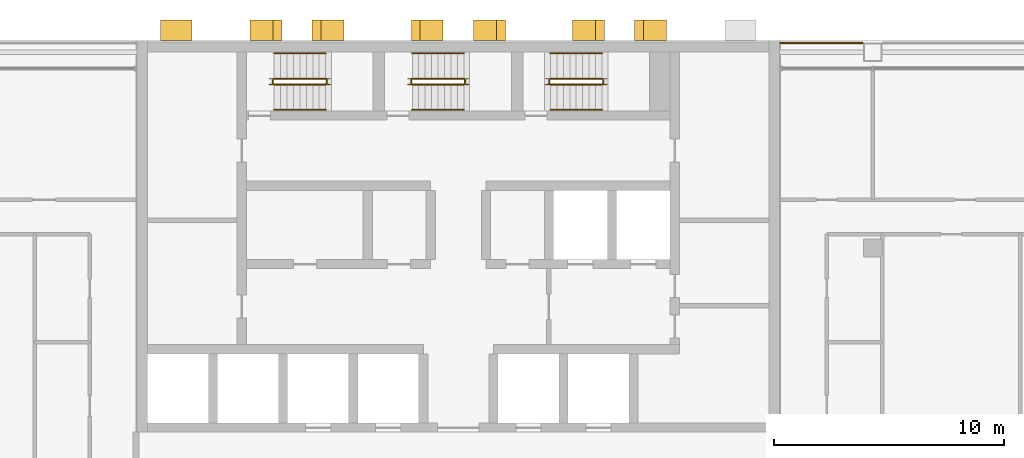
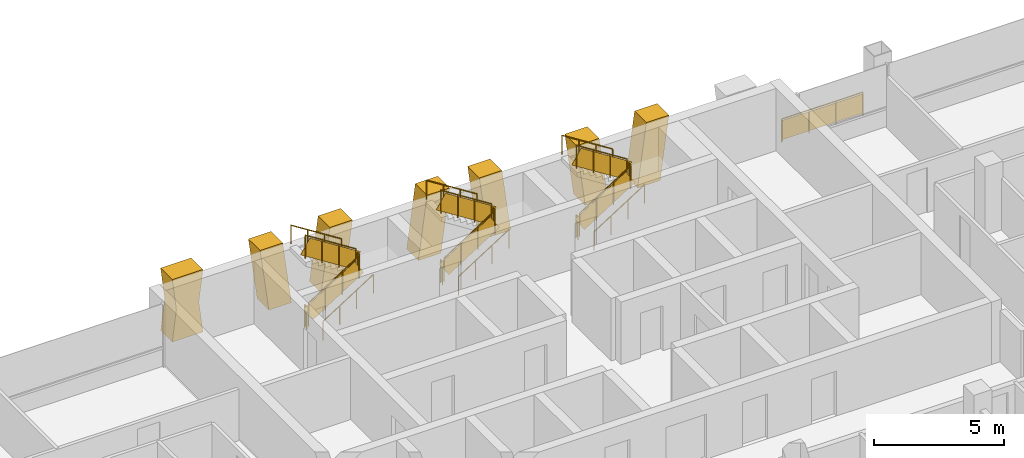
# One storey, part 15 of 16: 19 railings, 7 shading devices.
"""IFC4 building model written with IfcOpenShell, lengths in metres."""

from ifc_helpers import new_model, si_unit, direction, frame, origin, origin_2d, place, context, subcontext, project, spatial, polyline, rectangle, circle, outline, extrude, material, layer, layer_set, type_object, element, save


model = new_model("IFC4")

# Units and contexts
model_context = context("Model", 3, precision=1e-05, world=origin(), true_north=direction((0.0, 1.0)))
body_context = subcontext(model_context, "Body", "Model", "MODEL_VIEW")
ifc_project = project(units=[si_unit("LENGTHUNIT", "METRE"), si_unit("AREAUNIT", "SQUARE_METRE"), si_unit("VOLUMEUNIT", "CUBIC_METRE"), si_unit("PLANEANGLEUNIT", "RADIAN"), si_unit("MASSUNIT", "GRAM", prefix="KILO")], contexts=[model_context])

# Site, building, storey
site_placement = place(None, origin())
site = spatial("IfcSite", under=ifc_project, at=site_placement, CompositionType="ELEMENT")
building_placement = place(site_placement, origin())
building = spatial("IfcBuilding", under=site, at=building_placement, Name="Vidyagriha Tower", CompositionType="ELEMENT")
storey_placement = place(building_placement, frame((0.0, 0.0, 129.39990234375)))
storey = spatial("IfcBuildingStorey", under=building, at=storey_placement, Name="L33", CompositionType="ELEMENT", Elevation=129.39990234375)

# Shading devices
ifc_material_1 = material(Name="Precast concrete C40/50 with brick facing", Category="concrete")
ifc_layer_1 = layer(ifc_material_1, 1.0)
ifc_layer_set_1 = layer_set([ifc_layer_1], Name="Precast concrete C40/50 with brick facing")
shading_device_type_1 = type_object("IfcShadingDeviceType", Name="Brick-faced rear rib arm leaning 8 degrees", PredefinedType="USERDEFINED", material=ifc_layer_set_1)
shading_device_1_placement = place(storey_placement, frame((6.343017578125, 20.449951171875, 0.0), z_axis=(0.0, 0.0, 1.0), x_axis=(-1.0, 0.0, 0.0)))
element("IfcShadingDevice", 1, at=shading_device_1_placement, inside=storey, type_object=shading_device_type_1, Name="Rear rib arm L33 R08.2a", ObjectType="BLADE FIN", PredefinedType="USERDEFINED", context=body_context, shape_type="SweptSolid", body=[
    extrude(outline(polyline([(0.0, 0.0), (1.0, 0.0), (1.3857421875, 2.920166015625), (0.3857421875, 2.920166015625), (0.0, 0.0)])), frame((0.0, 0.449951171875, 0.0), z_axis=(0.0, -1.0, 0.0), x_axis=(1.0, 0.0, 0.0)), (0.0, 0.0, 1.0), 0.89990234375),
])
shading_device_2_placement = place(storey_placement, frame((9.04296875, 20.449951171875, 0.0), z_axis=(0.0, 0.0, 1.0), x_axis=(-1.0, 0.0, 0.0)))
element("IfcShadingDevice", 2, at=shading_device_2_placement, inside=storey, type_object=shading_device_type_1, Name="Rear rib arm L33 R08.2b", ObjectType="BLADE FIN", PredefinedType="USERDEFINED", context=body_context, shape_type="SweptSolid", body=[
    extrude(outline(polyline([(0.3857421875, 0.0), (1.3857421875, 0.0), (1.0, 2.920166015625), (0.0, 2.920166015625), (0.3857421875, 0.0)])), frame((0.0, 0.449951171875, 0.0), z_axis=(0.0, -1.0, 0.0), x_axis=(1.0, 0.0, 0.0)), (0.0, 0.0, 1.0), 0.89990234375),
])
shading_device_3_placement = place(storey_placement, frame((2.04296875, 20.449951171875, 0.0), z_axis=(0.0, 0.0, 1.0), x_axis=(-1.0, 0.0, 0.0)))
element("IfcShadingDevice", 3, at=shading_device_3_placement, inside=storey, type_object=shading_device_type_1, Name="Rear rib arm L33 R08.3a", ObjectType="BLADE FIN", PredefinedType="USERDEFINED", context=body_context, shape_type="SweptSolid", body=[
    extrude(outline(polyline([(0.0, 0.0), (1.0, 0.0), (1.3857421875, 2.920166015625), (0.3857421875, 2.920166015625), (0.0, 0.0)])), frame((0.0, 0.449951171875, 0.0), z_axis=(0.0, -1.0, 0.0), x_axis=(1.0, 0.0, 0.0)), (0.0, 0.0, 1.0), 0.89990234375),
])
shading_device_4_placement = place(storey_placement, frame((-0.656982421875, 20.449951171875, 0.0), z_axis=(0.0, 0.0, 1.0), x_axis=(-1.0, 0.0, 0.0)))
element("IfcShadingDevice", 4, at=shading_device_4_placement, inside=storey, type_object=shading_device_type_1, Name="Rear rib arm L33 R08.3b", ObjectType="BLADE FIN", PredefinedType="USERDEFINED", context=body_context, shape_type="SweptSolid", body=[
    extrude(outline(polyline([(0.3857421875, 0.0), (1.3857421875, 0.0), (1.0, 2.920166015625), (0.0, 2.920166015625), (0.3857421875, 0.0)])), frame((0.0, 0.449951171875, 0.0), z_axis=(0.0, -1.0, 0.0), x_axis=(1.0, 0.0, 0.0)), (0.0, 0.0, 1.0), 0.89990234375),
])
shading_device_5_placement = place(storey_placement, frame((-7.656982421875, 20.449951171875, 0.0), z_axis=(0.0, 0.0, 1.0), x_axis=(-1.0, 0.0, 0.0)))
element("IfcShadingDevice", 5, at=shading_device_5_placement, inside=storey, type_object=shading_device_type_1, Name="Rear rib arm L33 R08.4a", ObjectType="BLADE FIN", PredefinedType="USERDEFINED", context=body_context, shape_type="SweptSolid", body=[
    extrude(outline(polyline([(0.0, 0.0), (1.0, 0.0), (1.3857421875, 2.920166015625), (0.3857421875, 2.920166015625), (0.0, 0.0)])), frame((0.0, 0.449951171875, 0.0), z_axis=(0.0, -1.0, 0.0), x_axis=(1.0, 0.0, 0.0)), (0.0, 0.0, 1.0), 0.89990234375),
])
shading_device_6_placement = place(storey_placement, frame((-4.95703125, 20.449951171875, 0.0), z_axis=(0.0, 0.0, 1.0), x_axis=(-1.0, 0.0, 0.0)))
element("IfcShadingDevice", 6, at=shading_device_6_placement, inside=storey, type_object=shading_device_type_1, Name="Rear rib arm L33 R08.4b", ObjectType="BLADE FIN", PredefinedType="USERDEFINED", context=body_context, shape_type="SweptSolid", body=[
    extrude(outline(polyline([(0.3857421875, 0.0), (1.3857421875, 0.0), (1.0, 2.920166015625), (0.0, 2.920166015625), (0.3857421875, 0.0)])), frame((0.0, 0.449951171875, 0.0), z_axis=(0.0, -1.0, 0.0), x_axis=(1.0, 0.0, 0.0)), (0.0, 0.0, 1.0), 0.89990234375),
])
ifc_material_2 = material(Name="Precast concrete C40/50 with brick facing", Category="concrete")
ifc_layer_2 = layer(ifc_material_2, 1.0)
ifc_layer_set_2 = layer_set([ifc_layer_2], Name="Precast concrete C40/50 with brick facing")
shading_device_type_2 = type_object("IfcShadingDeviceType", Name="Brick-faced rear rib forking 8 degrees", PredefinedType="USERDEFINED", material=ifc_layer_set_2)
shading_device_7_placement = place(storey_placement, frame((-11.5712890625, 20.449951171875, 0.0), z_axis=(0.0, 0.0, 1.0), x_axis=(-1.0, 0.0, 0.0)))
element("IfcShadingDevice", 7, at=shading_device_7_placement, inside=storey, type_object=shading_device_type_2, Name="Rear rib fork L33 R08.5a", ObjectType="BLADE FIN", PredefinedType="USERDEFINED", context=body_context, shape_type="SweptSolid", body=[
    extrude(outline(polyline([(0.0, 0.0), (1.357177734375, 0.0), (1.1787109375, 1.460205078125), (1.357177734375, 2.920166015625), (0.0, 2.920166015625), (0.1787109375, 1.460205078125), (0.0, 0.0)])), frame((0.0, 0.449951171875, 0.0), z_axis=(0.0, -1.0, 0.0), x_axis=(1.0, 0.0, 0.0)), (0.0, 0.0, 1.0), 0.89990234375),
])

# Railings
ifc_material_3 = material(Name="Steel ASTM A500 Grade C black painted", Category="steel")
railing_type_1 = type_object("IfcRailingType", Name="Gallery guard 1100", PredefinedType="GUARDRAIL", material=ifc_material_3)
railing_1_placement = place(storey_placement, frame((13.97998046875, 19.89990234375, 0.0)))
element("IfcRailing", 8, at=railing_1_placement, inside=storey, type_object=railing_type_1, Name="Gallery guard L33 9", PredefinedType="GUARDRAIL", context=body_context, shape_type="SweptSolid", body=[
    extrude(circle(Radius=0.02490234375, at=origin_2d()), frame((0.0, 0.0, 1.0751953125), z_axis=(1.0, 0.0, 0.0), x_axis=(0.0, 1.0, 0.0)), (0.0, 0.0, 1.0), 3.590087890625),
    extrude(circle(Radius=0.02001953125, at=origin_2d()), origin(), (0.0, 0.0, 1.0), 1.050048828125),
    extrude(circle(Radius=0.02001953125, at=origin_2d()), frame((1.19677734375, 0.0, 0.0)), (0.0, 0.0, 1.0), 1.050048828125),
    extrude(circle(Radius=0.02001953125, at=origin_2d()), frame((2.393310546875, 0.0, 0.0)), (0.0, 0.0, 1.0), 1.050048828125),
    extrude(circle(Radius=0.02001953125, at=origin_2d()), frame((3.590087890625, 0.0, 0.0)), (0.0, 0.0, 1.0), 1.050048828125),
    extrude(rectangle(XDim=0.010009765625, YDim=0.900146484375, at=origin_2d()), frame((0.0, 0.0, 0.550048828125), z_axis=(1.0, 0.0, 0.0), x_axis=(0.0, 1.0, 0.0)), (0.0, 0.0, 1.0), 3.590087890625),
])
ifc_material_4 = material(Name="Steel ASTM A500 Grade C", Category="steel")
railing_type_2 = type_object("IfcRailingType", Name="Stair guard 1100 mm, steel balustrade", PredefinedType="GUARDRAIL", material=ifc_material_4)
railing_2_placement = place(storey_placement, frame((-8.0, 18.10009765625, 0.177978515625)))
element("IfcRailing", 9, at=railing_2_placement, inside=storey, type_object=railing_type_2, Name="L33 ST1 stair guard 1", PredefinedType="GUARDRAIL", context=body_context, shape_type="SweptSolid", body=[
    extrude(circle(Radius=0.02392578125, at=origin_2d()), frame((0.0, 0.0, 1.076171875), z_axis=(0.8442293374, 0.0, 0.53598211339), x_axis=(0.0, 1.0, 0.0)), (0.0, 0.0, 1.0), 2.6533203125),
    extrude(circle(Radius=0.02099609375, at=origin_2d()), origin(), (0.0, 0.0, 1.0), 1.052001953125),
    extrude(circle(Radius=0.02099609375, at=origin_2d()), frame((0.74658203125, 0.0, 0.47412109375)), (0.0, 0.0, 1.0), 1.052001953125),
    extrude(circle(Radius=0.02099609375, at=origin_2d()), frame((1.493408203125, 0.0, 0.947998046875)), (0.0, 0.0, 1.0), 1.052001953125),
    extrude(circle(Radius=0.02099609375, at=origin_2d()), frame((2.239990234375, 0.0, 1.422119140625)), (0.0, 0.0, 1.0), 1.052001953125),
    extrude(rectangle(XDim=0.010009765625, YDim=0.761474609375, at=origin_2d()), frame((0.0, 0.0, 0.551025390625), z_axis=(0.8442293374, 0.0, 0.53598211339), x_axis=(0.0, 1.0, 0.0)), (0.0, 0.0, 1.0), 2.6533203125),
])
railing_3_placement = place(storey_placement, frame((-5.7099609375, 18.14990234375, 1.60009765625)))
element("IfcRailing", 10, at=railing_3_placement, inside=storey, type_object=railing_type_2, Name="L33 ST1 stair guard 2", PredefinedType="GUARDRAIL", context=body_context, shape_type="SweptSolid", body=[
    extrude(circle(Radius=0.02392578125, at=origin_2d()), frame((0.0, 0.0, 1.076171875), z_axis=(0.0, 1.0, 0.0), x_axis=(-1.0, 0.0, 0.0)), (0.0, 0.0, 1.0), 0.150146484375),
    extrude(circle(Radius=0.02099609375, at=origin_2d()), origin(), (0.0, 0.0, 1.0), 1.052001953125),
    extrude(circle(Radius=0.02099609375, at=origin_2d()), frame((0.0, 0.150146484375, 0.0)), (0.0, 0.0, 1.0), 1.052001953125),
    extrude(rectangle(XDim=0.010009765625, YDim=0.902099609375, at=origin_2d()), frame((0.0, 0.0, 0.551025390625), z_axis=(0.0, 1.0, 0.0), x_axis=(-1.0, 0.0, 0.0)), (0.0, 0.0, 1.0), 0.150146484375),
])
railing_4_placement = place(storey_placement, frame((-5.760009765625, 18.35009765625, 1.77783203125)))
element("IfcRailing", 11, at=railing_4_placement, inside=storey, type_object=railing_type_2, Name="L33 ST1 stair guard 3", PredefinedType="GUARDRAIL", context=body_context, shape_type="SweptSolid", body=[
    extrude(circle(Radius=0.02392578125, at=origin_2d()), frame((0.0, 0.0, 1.076171875), z_axis=(-0.84418770128, 0.0, 0.536047689118), x_axis=(0.0, -1.0, 0.0)), (0.0, 0.0, 1.0), 2.6533203125),
    extrude(circle(Radius=0.02099609375, at=origin_2d()), origin(), (0.0, 0.0, 1.0), 1.052001953125),
    extrude(circle(Radius=0.02099609375, at=origin_2d()), frame((-0.74658203125, 0.0, 0.47412109375)), (0.0, 0.0, 1.0), 1.052001953125),
    extrude(circle(Radius=0.02099609375, at=origin_2d()), frame((-1.493408203125, 0.0, 0.9482421875)), (0.0, 0.0, 1.0), 1.052001953125),
    extrude(circle(Radius=0.02099609375, at=origin_2d()), frame((-2.239990234375, 0.0, 1.42236328125)), (0.0, 0.0, 1.0), 1.052001953125),
    extrude(rectangle(XDim=0.010009765625, YDim=0.761474609375, at=origin_2d()), frame((0.0, 0.0, 0.551025390625), z_axis=(-0.84418770128, 0.0, 0.536047689118), x_axis=(0.0, -1.0, 0.0)), (0.0, 0.0, 1.0), 2.6533203125),
])
railing_5_placement = place(storey_placement, frame((-8.050048828125, 18.14990234375, 0.0)))
element("IfcRailing", 12, at=railing_5_placement, inside=storey, type_object=railing_type_2, Name="L33 ST1 stair guard 4", PredefinedType="GUARDRAIL", context=body_context, shape_type="SweptSolid", body=[
    extrude(circle(Radius=0.02392578125, at=origin_2d()), frame((0.0, 0.0, 1.076171875), z_axis=(0.0, 1.0, 0.0), x_axis=(-1.0, 0.0, 0.0)), (0.0, 0.0, 1.0), 0.150146484375),
    extrude(circle(Radius=0.02099609375, at=origin_2d()), origin(), (0.0, 0.0, 1.0), 1.052001953125),
    extrude(circle(Radius=0.02099609375, at=origin_2d()), frame((0.0, 0.150146484375, 0.0)), (0.0, 0.0, 1.0), 1.052001953125),
    extrude(rectangle(XDim=0.010009765625, YDim=0.902099609375, at=origin_2d()), frame((0.0, 0.0, 0.551025390625), z_axis=(0.0, 1.0, 0.0), x_axis=(-1.0, 0.0, 0.0)), (0.0, 0.0, 1.0), 0.150146484375),
])
railing_6_placement = place(storey_placement, frame((-2.0, 18.10009765625, 0.177978515625)))
element("IfcRailing", 13, at=railing_6_placement, inside=storey, type_object=railing_type_2, Name="L33 ST2 stair guard 1", PredefinedType="GUARDRAIL", context=body_context, shape_type="SweptSolid", body=[
    extrude(circle(Radius=0.02392578125, at=origin_2d()), frame((0.0, 0.0, 1.076171875), z_axis=(0.8442293374, 0.0, 0.53598211339), x_axis=(0.0, 1.0, 0.0)), (0.0, 0.0, 1.0), 2.6533203125),
    extrude(circle(Radius=0.02099609375, at=origin_2d()), origin(), (0.0, 0.0, 1.0), 1.052001953125),
    extrude(circle(Radius=0.02099609375, at=origin_2d()), frame((0.74658203125, 0.0, 0.47412109375)), (0.0, 0.0, 1.0), 1.052001953125),
    extrude(circle(Radius=0.02099609375, at=origin_2d()), frame((1.493408203125, 0.0, 0.947998046875)), (0.0, 0.0, 1.0), 1.052001953125),
    extrude(circle(Radius=0.02099609375, at=origin_2d()), frame((2.239990234375, 0.0, 1.422119140625)), (0.0, 0.0, 1.0), 1.052001953125),
    extrude(rectangle(XDim=0.010009765625, YDim=0.761474609375, at=origin_2d()), frame((0.0, 0.0, 0.551025390625), z_axis=(0.8442293374, 0.0, 0.53598211339), x_axis=(0.0, 1.0, 0.0)), (0.0, 0.0, 1.0), 2.6533203125),
])
railing_7_placement = place(storey_placement, frame((0.2900390625, 18.14990234375, 1.60009765625)))
element("IfcRailing", 14, at=railing_7_placement, inside=storey, type_object=railing_type_2, Name="L33 ST2 stair guard 2", PredefinedType="GUARDRAIL", context=body_context, shape_type="SweptSolid", body=[
    extrude(circle(Radius=0.02392578125, at=origin_2d()), frame((0.0, 0.0, 1.076171875), z_axis=(0.0, 1.0, 0.0), x_axis=(-1.0, 0.0, 0.0)), (0.0, 0.0, 1.0), 0.150146484375),
    extrude(circle(Radius=0.02099609375, at=origin_2d()), origin(), (0.0, 0.0, 1.0), 1.052001953125),
    extrude(circle(Radius=0.02099609375, at=origin_2d()), frame((0.0, 0.150146484375, 0.0)), (0.0, 0.0, 1.0), 1.052001953125),
    extrude(rectangle(XDim=0.010009765625, YDim=0.902099609375, at=origin_2d()), frame((0.0, 0.0, 0.551025390625), z_axis=(0.0, 1.0, 0.0), x_axis=(-1.0, 0.0, 0.0)), (0.0, 0.0, 1.0), 0.150146484375),
])
railing_8_placement = place(storey_placement, frame((0.239990234375, 18.35009765625, 1.77783203125)))
element("IfcRailing", 15, at=railing_8_placement, inside=storey, type_object=railing_type_2, Name="L33 ST2 stair guard 3", PredefinedType="GUARDRAIL", context=body_context, shape_type="SweptSolid", body=[
    extrude(circle(Radius=0.02392578125, at=origin_2d()), frame((0.0, 0.0, 1.076171875), z_axis=(-0.84418770128, 0.0, 0.536047689118), x_axis=(0.0, -1.0, 0.0)), (0.0, 0.0, 1.0), 2.6533203125),
    extrude(circle(Radius=0.02099609375, at=origin_2d()), origin(), (0.0, 0.0, 1.0), 1.052001953125),
    extrude(circle(Radius=0.02099609375, at=origin_2d()), frame((-0.74658203125, 0.0, 0.47412109375)), (0.0, 0.0, 1.0), 1.052001953125),
    extrude(circle(Radius=0.02099609375, at=origin_2d()), frame((-1.493408203125, 0.0, 0.9482421875)), (0.0, 0.0, 1.0), 1.052001953125),
    extrude(circle(Radius=0.02099609375, at=origin_2d()), frame((-2.239990234375, 0.0, 1.42236328125)), (0.0, 0.0, 1.0), 1.052001953125),
    extrude(rectangle(XDim=0.010009765625, YDim=0.761474609375, at=origin_2d()), frame((0.0, 0.0, 0.551025390625), z_axis=(-0.84418770128, 0.0, 0.536047689118), x_axis=(0.0, -1.0, 0.0)), (0.0, 0.0, 1.0), 2.6533203125),
])
railing_9_placement = place(storey_placement, frame((-2.050048828125, 18.14990234375, 0.0)))
element("IfcRailing", 16, at=railing_9_placement, inside=storey, type_object=railing_type_2, Name="L33 ST2 stair guard 4", PredefinedType="GUARDRAIL", context=body_context, shape_type="SweptSolid", body=[
    extrude(circle(Radius=0.02392578125, at=origin_2d()), frame((0.0, 0.0, 1.076171875), z_axis=(0.0, 1.0, 0.0), x_axis=(-1.0, 0.0, 0.0)), (0.0, 0.0, 1.0), 0.150146484375),
    extrude(circle(Radius=0.02099609375, at=origin_2d()), origin(), (0.0, 0.0, 1.0), 1.052001953125),
    extrude(circle(Radius=0.02099609375, at=origin_2d()), frame((0.0, 0.150146484375, 0.0)), (0.0, 0.0, 1.0), 1.052001953125),
    extrude(rectangle(XDim=0.010009765625, YDim=0.902099609375, at=origin_2d()), frame((0.0, 0.0, 0.551025390625), z_axis=(0.0, 1.0, 0.0), x_axis=(-1.0, 0.0, 0.0)), (0.0, 0.0, 1.0), 0.150146484375),
])
railing_10_placement = place(storey_placement, frame((4.0, 18.10009765625, 0.177978515625)))
element("IfcRailing", 17, at=railing_10_placement, inside=storey, type_object=railing_type_2, Name="L33 ST3 stair guard 1", PredefinedType="GUARDRAIL", context=body_context, shape_type="SweptSolid", body=[
    extrude(circle(Radius=0.02392578125, at=origin_2d()), frame((0.0, 0.0, 1.076171875), z_axis=(0.8442293374, 0.0, 0.53598211339), x_axis=(0.0, 1.0, 0.0)), (0.0, 0.0, 1.0), 2.6533203125),
    extrude(circle(Radius=0.02099609375, at=origin_2d()), origin(), (0.0, 0.0, 1.0), 1.052001953125),
    extrude(circle(Radius=0.02099609375, at=origin_2d()), frame((0.74658203125, 0.0, 0.47412109375)), (0.0, 0.0, 1.0), 1.052001953125),
    extrude(circle(Radius=0.02099609375, at=origin_2d()), frame((1.493408203125, 0.0, 0.947998046875)), (0.0, 0.0, 1.0), 1.052001953125),
    extrude(circle(Radius=0.02099609375, at=origin_2d()), frame((2.239990234375, 0.0, 1.422119140625)), (0.0, 0.0, 1.0), 1.052001953125),
    extrude(rectangle(XDim=0.010009765625, YDim=0.761474609375, at=origin_2d()), frame((0.0, 0.0, 0.551025390625), z_axis=(0.8442293374, 0.0, 0.53598211339), x_axis=(0.0, 1.0, 0.0)), (0.0, 0.0, 1.0), 2.6533203125),
])
railing_11_placement = place(storey_placement, frame((6.2900390625, 18.14990234375, 1.60009765625)))
element("IfcRailing", 18, at=railing_11_placement, inside=storey, type_object=railing_type_2, Name="L33 ST3 stair guard 2", PredefinedType="GUARDRAIL", context=body_context, shape_type="SweptSolid", body=[
    extrude(circle(Radius=0.02392578125, at=origin_2d()), frame((0.0, 0.0, 1.076171875), z_axis=(0.0, 1.0, 0.0), x_axis=(-1.0, 0.0, 0.0)), (0.0, 0.0, 1.0), 0.150146484375),
    extrude(circle(Radius=0.02099609375, at=origin_2d()), origin(), (0.0, 0.0, 1.0), 1.052001953125),
    extrude(circle(Radius=0.02099609375, at=origin_2d()), frame((0.0, 0.150146484375, 0.0)), (0.0, 0.0, 1.0), 1.052001953125),
    extrude(rectangle(XDim=0.010009765625, YDim=0.902099609375, at=origin_2d()), frame((0.0, 0.0, 0.551025390625), z_axis=(0.0, 1.0, 0.0), x_axis=(-1.0, 0.0, 0.0)), (0.0, 0.0, 1.0), 0.150146484375),
])
railing_12_placement = place(storey_placement, frame((6.239990234375, 18.35009765625, 1.77783203125)))
element("IfcRailing", 19, at=railing_12_placement, inside=storey, type_object=railing_type_2, Name="L33 ST3 stair guard 3", PredefinedType="GUARDRAIL", context=body_context, shape_type="SweptSolid", body=[
    extrude(circle(Radius=0.02392578125, at=origin_2d()), frame((0.0, 0.0, 1.076171875), z_axis=(-0.84418770128, 0.0, 0.536047689118), x_axis=(0.0, -1.0, 0.0)), (0.0, 0.0, 1.0), 2.6533203125),
    extrude(circle(Radius=0.02099609375, at=origin_2d()), origin(), (0.0, 0.0, 1.0), 1.052001953125),
    extrude(circle(Radius=0.02099609375, at=origin_2d()), frame((-0.74658203125, 0.0, 0.47412109375)), (0.0, 0.0, 1.0), 1.052001953125),
    extrude(circle(Radius=0.02099609375, at=origin_2d()), frame((-1.493408203125, 0.0, 0.9482421875)), (0.0, 0.0, 1.0), 1.052001953125),
    extrude(circle(Radius=0.02099609375, at=origin_2d()), frame((-2.239990234375, 0.0, 1.42236328125)), (0.0, 0.0, 1.0), 1.052001953125),
    extrude(rectangle(XDim=0.010009765625, YDim=0.761474609375, at=origin_2d()), frame((0.0, 0.0, 0.551025390625), z_axis=(-0.84418770128, 0.0, 0.536047689118), x_axis=(0.0, -1.0, 0.0)), (0.0, 0.0, 1.0), 2.6533203125),
])
railing_13_placement = place(storey_placement, frame((3.949951171875, 18.14990234375, 0.0)))
element("IfcRailing", 20, at=railing_13_placement, inside=storey, type_object=railing_type_2, Name="L33 ST3 stair guard 4", PredefinedType="GUARDRAIL", context=body_context, shape_type="SweptSolid", body=[
    extrude(circle(Radius=0.02392578125, at=origin_2d()), frame((0.0, 0.0, 1.076171875), z_axis=(0.0, 1.0, 0.0), x_axis=(-1.0, 0.0, 0.0)), (0.0, 0.0, 1.0), 0.150146484375),
    extrude(circle(Radius=0.02099609375, at=origin_2d()), origin(), (0.0, 0.0, 1.0), 1.052001953125),
    extrude(circle(Radius=0.02099609375, at=origin_2d()), frame((0.0, 0.150146484375, 0.0)), (0.0, 0.0, 1.0), 1.052001953125),
    extrude(rectangle(XDim=0.010009765625, YDim=0.902099609375, at=origin_2d()), frame((0.0, 0.0, 0.551025390625), z_axis=(0.0, 1.0, 0.0), x_axis=(-1.0, 0.0, 0.0)), (0.0, 0.0, 1.0), 0.150146484375),
])
ifc_material_5 = material(Name="Steel ASTM A500 Grade C", Category="steel")
railing_type_3 = type_object("IfcRailingType", Name="Stair handrail 900 mm, steel", PredefinedType="HANDRAIL", material=ifc_material_5)
railing_14_placement = place(storey_placement, frame((-8.0, 17.0, 0.177978515625)))
element("IfcRailing", 21, at=railing_14_placement, inside=storey, type_object=railing_type_3, Name="L33 ST1 stair handrail 1", PredefinedType="HANDRAIL", context=body_context, shape_type="SweptSolid", body=[
    extrude(circle(Radius=0.02392578125, at=origin_2d()), frame((0.0, 0.0, 0.8759765625), z_axis=(0.8442293374, 0.0, 0.53598211339), x_axis=(0.0, 1.0, 0.0)), (0.0, 0.0, 1.0), 2.6533203125),
    extrude(circle(Radius=0.02099609375, at=origin_2d()), origin(), (0.0, 0.0, 1.0), 0.851806640625),
    extrude(circle(Radius=0.02099609375, at=origin_2d()), frame((0.74658203125, 0.0, 0.47412109375)), (0.0, 0.0, 1.0), 0.851806640625),
    extrude(circle(Radius=0.02099609375, at=origin_2d()), frame((1.493408203125, 0.0, 0.947998046875)), (0.0, 0.0, 1.0), 0.851806640625),
    extrude(circle(Radius=0.02099609375, at=origin_2d()), frame((2.239990234375, 0.0, 1.422119140625)), (0.0, 0.0, 1.0), 0.851806640625),
])
railing_15_placement = place(storey_placement, frame((-5.760009765625, 19.449951171875, 1.77783203125)))
element("IfcRailing", 22, at=railing_15_placement, inside=storey, type_object=railing_type_3, Name="L33 ST1 stair handrail 2", PredefinedType="HANDRAIL", context=body_context, shape_type="SweptSolid", body=[
    extrude(circle(Radius=0.02392578125, at=origin_2d()), frame((0.0, 0.0, 0.8759765625), z_axis=(-0.84418770128, 0.0, 0.536047689118), x_axis=(0.0, -1.0, 0.0)), (0.0, 0.0, 1.0), 2.6533203125),
    extrude(circle(Radius=0.02099609375, at=origin_2d()), origin(), (0.0, 0.0, 1.0), 0.851806640625),
    extrude(circle(Radius=0.02099609375, at=origin_2d()), frame((-0.74658203125, 0.0, 0.47412109375)), (0.0, 0.0, 1.0), 0.851806640625),
    extrude(circle(Radius=0.02099609375, at=origin_2d()), frame((-1.493408203125, 0.0, 0.9482421875)), (0.0, 0.0, 1.0), 0.851806640625),
    extrude(circle(Radius=0.02099609375, at=origin_2d()), frame((-2.239990234375, 0.0, 1.42236328125)), (0.0, 0.0, 1.0), 0.851806640625),
])
railing_16_placement = place(storey_placement, frame((-2.0, 17.0, 0.177978515625)))
element("IfcRailing", 23, at=railing_16_placement, inside=storey, type_object=railing_type_3, Name="L33 ST2 stair handrail 1", PredefinedType="HANDRAIL", context=body_context, shape_type="SweptSolid", body=[
    extrude(circle(Radius=0.02392578125, at=origin_2d()), frame((0.0, 0.0, 0.8759765625), z_axis=(0.8442293374, 0.0, 0.53598211339), x_axis=(0.0, 1.0, 0.0)), (0.0, 0.0, 1.0), 2.6533203125),
    extrude(circle(Radius=0.02099609375, at=origin_2d()), origin(), (0.0, 0.0, 1.0), 0.851806640625),
    extrude(circle(Radius=0.02099609375, at=origin_2d()), frame((0.74658203125, 0.0, 0.47412109375)), (0.0, 0.0, 1.0), 0.851806640625),
    extrude(circle(Radius=0.02099609375, at=origin_2d()), frame((1.493408203125, 0.0, 0.947998046875)), (0.0, 0.0, 1.0), 0.851806640625),
    extrude(circle(Radius=0.02099609375, at=origin_2d()), frame((2.239990234375, 0.0, 1.422119140625)), (0.0, 0.0, 1.0), 0.851806640625),
])
railing_17_placement = place(storey_placement, frame((0.239990234375, 19.449951171875, 1.77783203125)))
element("IfcRailing", 24, at=railing_17_placement, inside=storey, type_object=railing_type_3, Name="L33 ST2 stair handrail 2", PredefinedType="HANDRAIL", context=body_context, shape_type="SweptSolid", body=[
    extrude(circle(Radius=0.02392578125, at=origin_2d()), frame((0.0, 0.0, 0.8759765625), z_axis=(-0.84418770128, 0.0, 0.536047689118), x_axis=(0.0, -1.0, 0.0)), (0.0, 0.0, 1.0), 2.6533203125),
    extrude(circle(Radius=0.02099609375, at=origin_2d()), origin(), (0.0, 0.0, 1.0), 0.851806640625),
    extrude(circle(Radius=0.02099609375, at=origin_2d()), frame((-0.74658203125, 0.0, 0.47412109375)), (0.0, 0.0, 1.0), 0.851806640625),
    extrude(circle(Radius=0.02099609375, at=origin_2d()), frame((-1.493408203125, 0.0, 0.9482421875)), (0.0, 0.0, 1.0), 0.851806640625),
    extrude(circle(Radius=0.02099609375, at=origin_2d()), frame((-2.239990234375, 0.0, 1.42236328125)), (0.0, 0.0, 1.0), 0.851806640625),
])
railing_18_placement = place(storey_placement, frame((4.0, 17.0, 0.177978515625)))
element("IfcRailing", 25, at=railing_18_placement, inside=storey, type_object=railing_type_3, Name="L33 ST3 stair handrail 1", PredefinedType="HANDRAIL", context=body_context, shape_type="SweptSolid", body=[
    extrude(circle(Radius=0.02392578125, at=origin_2d()), frame((0.0, 0.0, 0.8759765625), z_axis=(0.8442293374, 0.0, 0.53598211339), x_axis=(0.0, 1.0, 0.0)), (0.0, 0.0, 1.0), 2.6533203125),
    extrude(circle(Radius=0.02099609375, at=origin_2d()), origin(), (0.0, 0.0, 1.0), 0.851806640625),
    extrude(circle(Radius=0.02099609375, at=origin_2d()), frame((0.74658203125, 0.0, 0.47412109375)), (0.0, 0.0, 1.0), 0.851806640625),
    extrude(circle(Radius=0.02099609375, at=origin_2d()), frame((1.493408203125, 0.0, 0.947998046875)), (0.0, 0.0, 1.0), 0.851806640625),
    extrude(circle(Radius=0.02099609375, at=origin_2d()), frame((2.239990234375, 0.0, 1.422119140625)), (0.0, 0.0, 1.0), 0.851806640625),
])
railing_19_placement = place(storey_placement, frame((6.239990234375, 19.449951171875, 1.77783203125)))
element("IfcRailing", 26, at=railing_19_placement, inside=storey, type_object=railing_type_3, Name="L33 ST3 stair handrail 2", PredefinedType="HANDRAIL", context=body_context, shape_type="SweptSolid", body=[
    extrude(circle(Radius=0.02392578125, at=origin_2d()), frame((0.0, 0.0, 0.8759765625), z_axis=(-0.84418770128, 0.0, 0.536047689118), x_axis=(0.0, -1.0, 0.0)), (0.0, 0.0, 1.0), 2.6533203125),
    extrude(circle(Radius=0.02099609375, at=origin_2d()), origin(), (0.0, 0.0, 1.0), 0.851806640625),
    extrude(circle(Radius=0.02099609375, at=origin_2d()), frame((-0.74658203125, 0.0, 0.47412109375)), (0.0, 0.0, 1.0), 0.851806640625),
    extrude(circle(Radius=0.02099609375, at=origin_2d()), frame((-1.493408203125, 0.0, 0.9482421875)), (0.0, 0.0, 1.0), 0.851806640625),
    extrude(circle(Radius=0.02099609375, at=origin_2d()), frame((-2.239990234375, 0.0, 1.42236328125)), (0.0, 0.0, 1.0), 0.851806640625),
])

save(model, "model.ifc")
